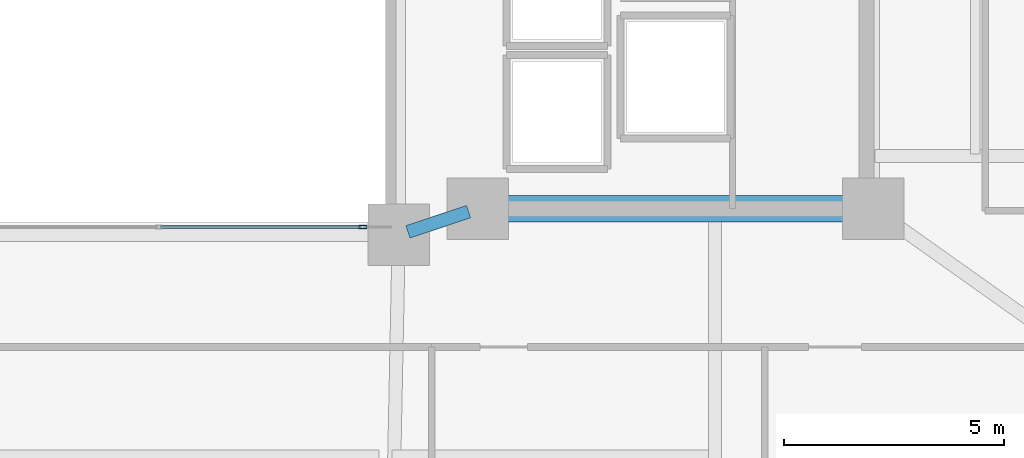
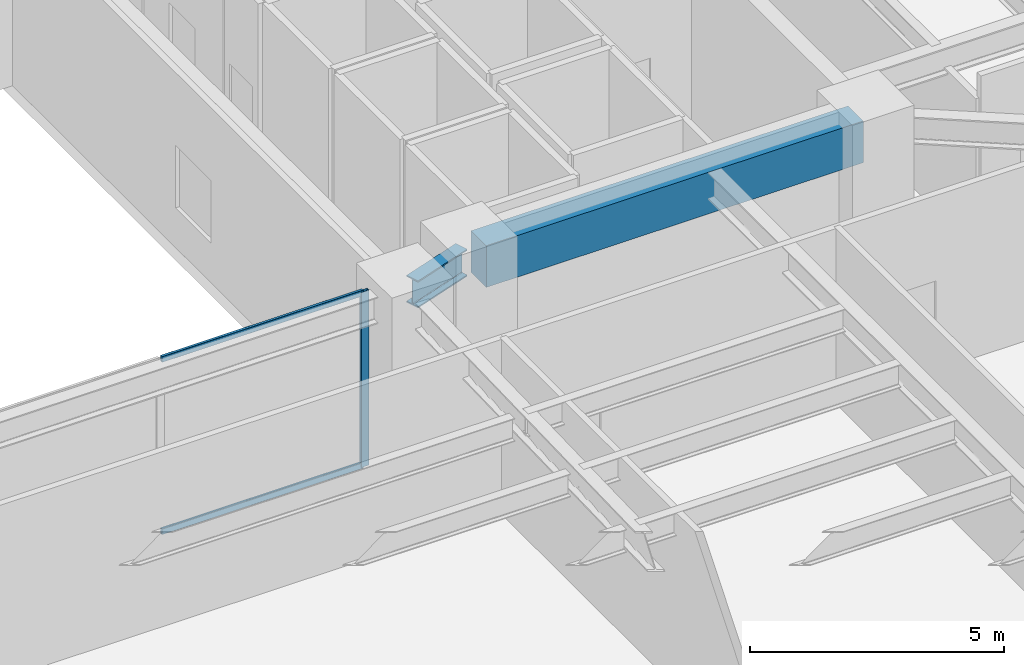
# One storey, part 14 of 40: 3 members, 2 beams, 1 element without a shape of its own.
"""IFC4 building model written with IfcOpenShell, lengths in metres."""

from ifc_helpers import new_model, si_unit, direction, frame, origin, origin_2d, place, context, subcontext, project, spatial, rectangle, hollow_rectangle, i_section, extrude, material, layer, layer_set, material_profile, profile_set, type_object, element, aggregate, save


model = new_model("IFC4")

# Units and contexts
model_context = context("Model", 3, precision=1e-05, world=origin(), true_north=direction((0.0, 1.0)))
body_context = subcontext(model_context, "Body", "Model", "MODEL_VIEW")
ifc_project = project(units=[si_unit("LENGTHUNIT", "METRE"), si_unit("AREAUNIT", "SQUARE_METRE"), si_unit("VOLUMEUNIT", "CUBIC_METRE"), si_unit("PLANEANGLEUNIT", "RADIAN"), si_unit("MASSUNIT", "GRAM", prefix="KILO")], contexts=[model_context])

# Site, building, storey
site_placement = place(None, origin())
site = spatial("IfcSite", under=ifc_project, at=site_placement, CompositionType="ELEMENT")
building_placement = place(site_placement, origin())
building = spatial("IfcBuilding", under=site, at=building_placement, Name="Tarnavaz Court Tower", CompositionType="ELEMENT")
storey_placement = place(building_placement, frame((0.0, 0.0, 64.199951171875)))
storey = spatial("IfcBuildingStorey", under=building, at=storey_placement, Name="L17", CompositionType="ELEMENT", Elevation=64.199951171875)

# Beams
ifc_material_1 = material(Name="Concrete C60/75", Category="concrete")
ifc_material_profile_1 = material_profile(ifc_material_1, rectangle(XDim=0.60009765625, YDim=1.0, at=origin_2d()), Name="RC 600X1000")
ifc_profile_set_1 = profile_set([ifc_material_profile_1], Name="Concrete C60/75")
beam_type_1 = type_object("IfcBeamType", Name="BM-CB1000", PredefinedType="LINTEL", material=ifc_profile_set_1)
beam_1_placement = place(storey_placement, frame((18.3798828125, -7.199951171875, 3.699951171875), z_axis=(-1.0, 0.0, 0.0), x_axis=(0.0, -1.0, 0.0)))
element("IfcBeam", 1, at=beam_1_placement, inside=storey, type_object=beam_type_1, Name="L17 Beam IN-CE-SO-CE-SI", PredefinedType="LINTEL", context=body_context, shape_type="SweptSolid", body=[
    extrude(rectangle(XDim=0.60009765625, YDim=1.0, at=origin_2d()), origin(), (0.0, 0.0, 1.0), 8.559814453125),
])
ifc_material_2 = material(Name="Steel S355", Category="steel")
ifc_material_profile_2 = material_profile(ifc_material_2, i_section(OverallWidth=0.300048828125, OverallDepth=0.64990234375, WebThickness=0.01611328125, FlangeThickness=0.031005859375, FilletRadius=0.027099609375, at=origin_2d()), Name="HEB 650")
ifc_profile_set_2 = profile_set([ifc_material_profile_2], Name="Steel S355")
beam_type_2 = type_object("IfcBeamType", Name="BM-G-HEB650", PredefinedType="USERDEFINED", material=ifc_profile_set_2)
beam_2_placement = place(storey_placement, frame((9.391357421875, -7.26953125, 3.875), z_axis=(-0.948666544706, -0.316278021615, 0.0), x_axis=(0.316278021615, -0.948666544706, 0.0)))
element("IfcBeam", 2, at=beam_2_placement, inside=storey, type_object=beam_type_2, Name="L17 Beam IN-CE-SI-IW-SE", ObjectType="GIRDER", PredefinedType="USERDEFINED", context=body_context, shape_type="SweptSolid", body=[
    extrude(i_section(OverallWidth=0.300048828125, OverallDepth=0.64990234375, WebThickness=0.01611328125, FlangeThickness=0.031005859375, FilletRadius=0.027099609375, at=origin_2d()), origin(), (0.0, 0.0, 1.0), 1.457275390625),
])

# Curtain wall, members
ifc_material_3 = material(Name="Anodised Aluminium 6063-T6 and Solar Low-E Glazing", Category="aluminium")
ifc_layer = layer(ifc_material_3, 0.139892578125)
ifc_layer_set = layer_set([ifc_layer], Name="Anodised Aluminium 6063-T6 and Solar Low-E Glazing")
curtain_wall_type = type_object("IfcCurtainWallType", Name="CW-SYS-04", PredefinedType="NOTDEFINED", material=ifc_layer_set)
curtain_wall_placement = place(storey_placement, origin())
curtain_wall = element("IfcCurtainWall", 3, at=curtain_wall_placement, inside=storey, type_object=curtain_wall_type, Name="L17 Badgir Courtyard Curtain Wall S", PredefinedType="NOTDEFINED")
ifc_material_4 = material(Name="Anodised Aluminium 6063-T6", Category="aluminium")
ifc_material_profile_3 = material_profile(ifc_material_4, hollow_rectangle(XDim=0.074951171875, YDim=0.179931640625, WallThickness=0.0048828125, InnerFilletRadius=0.0048828125, OuterFilletRadius=0.010009765625, at=origin_2d()), Name="ALU RHS 180X75X5")
ifc_profile_set_3 = profile_set([ifc_material_profile_3], Name="Anodised Aluminium 6063-T6")
member_type_1 = type_object("IfcMemberType", Name="CW-MUL-180", PredefinedType="MULLION", material=ifc_profile_set_3)
member_1_placement = place(storey_placement, frame((6.982421875, -7.6201171875, 0.0), z_axis=(0.0, 0.0, 1.0), x_axis=(0.0, 1.0, 0.0)))
member_1 = element("IfcMember", 4, at=member_1_placement, type_object=member_type_1, Name="CW mullion 4", PredefinedType="MULLION", context=body_context, shape_type="SweptSolid", body=[
    extrude(hollow_rectangle(XDim=0.074951171875, YDim=0.179931640625, WallThickness=0.0048828125, InnerFilletRadius=0.0048828125, OuterFilletRadius=0.010009765625, at=origin_2d()), origin(), (0.0, 0.0, 1.0), 4.199951171875),
])
ifc_material_profile_4 = material_profile(ifc_material_4, hollow_rectangle(XDim=0.06494140625, YDim=0.139892578125, WallThickness=0.00390625, InnerFilletRadius=0.00390625, OuterFilletRadius=0.008056640625, at=origin_2d()), Name="ALU RHS 140X65X4")
ifc_profile_set_4 = profile_set([ifc_material_profile_4], Name="Anodised Aluminium 6063-T6")
member_type_2 = type_object("IfcMemberType", Name="CW-TRN-140", PredefinedType="USERDEFINED", material=ifc_profile_set_4)
member_2_placement = place(storey_placement, frame((2.37744140625, -7.6201171875, 0.032470703125), z_axis=(1.0, 0.0, 0.0), x_axis=(0.0, 1.0, 0.0)))
member_2 = element("IfcMember", 5, at=member_2_placement, type_object=member_type_2, Name="CW transom 3.1", ObjectType="TRANSOM", PredefinedType="USERDEFINED", context=body_context, shape_type="SweptSolid", body=[
    extrude(hollow_rectangle(XDim=0.06494140625, YDim=0.139892578125, WallThickness=0.00390625, InnerFilletRadius=0.00390625, OuterFilletRadius=0.008056640625, at=origin_2d()), origin(), (0.0, 0.0, 1.0), 4.567626953125),
])
member_3_placement = place(storey_placement, frame((2.37744140625, -7.6201171875, 4.16748046875), z_axis=(1.0, 0.0, 0.0), x_axis=(0.0, 1.0, 0.0)))
member_3 = element("IfcMember", 6, at=member_3_placement, type_object=member_type_2, Name="CW transom 3.2", ObjectType="TRANSOM", PredefinedType="USERDEFINED", context=body_context, shape_type="SweptSolid", body=[
    extrude(hollow_rectangle(XDim=0.06494140625, YDim=0.139892578125, WallThickness=0.00390625, InnerFilletRadius=0.00390625, OuterFilletRadius=0.008056640625, at=origin_2d()), origin(), (0.0, 0.0, 1.0), 4.567626953125),
])
aggregate(curtain_wall, [member_1, member_2, member_3])

save(model, "model.ifc")
